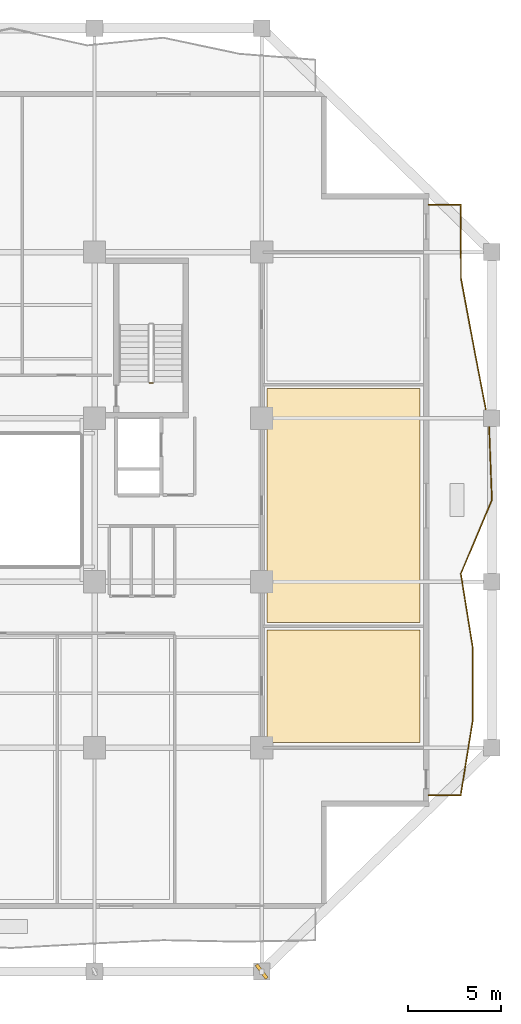
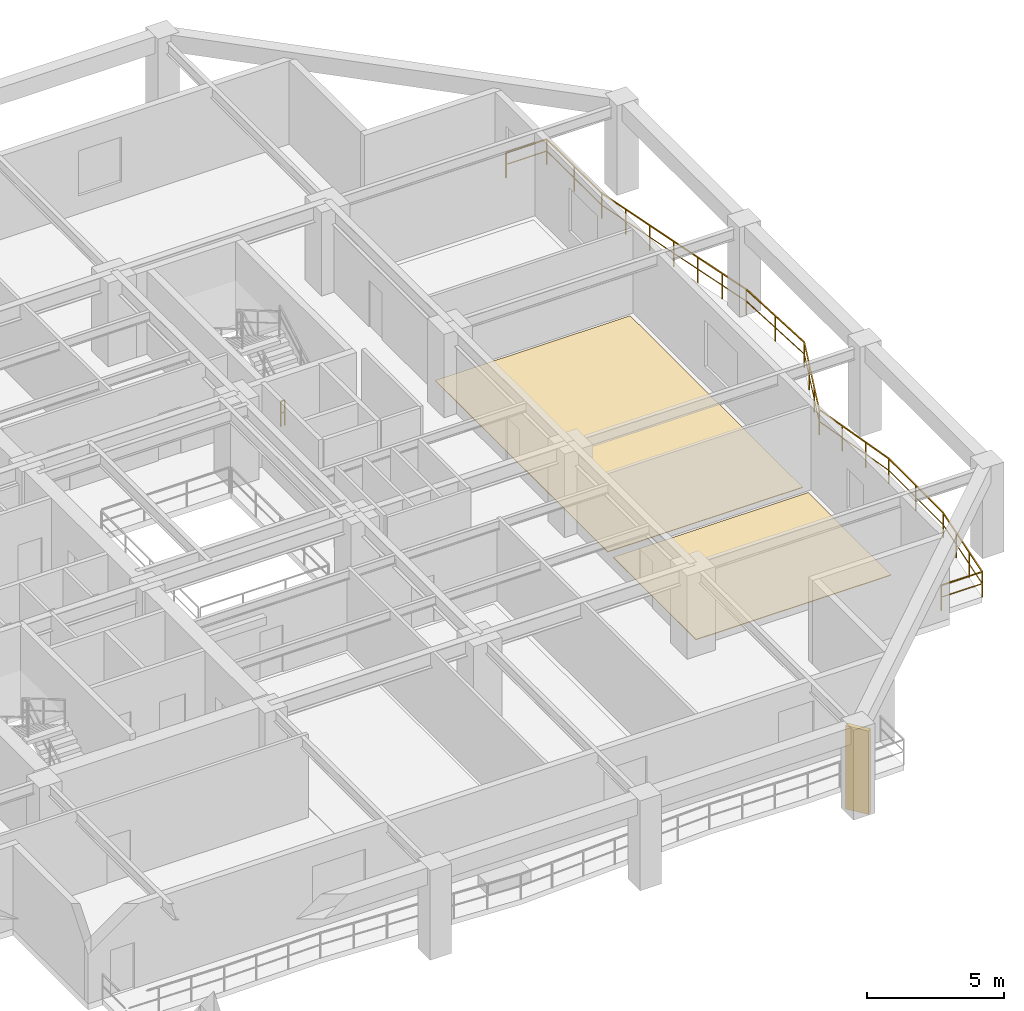
# One storey, part 9 of 12: 2 coverings, 2 railings, 1 shading device.
"""IFC4 building model written with IfcOpenShell, lengths in metres."""

from ifc_helpers import new_model, si_unit, direction, frame, origin, origin_2d, place, context, subcontext, project, spatial, polyline, rectangle, outline, extrude, material, layer, layer_set, type_object, element, save


model = new_model("IFC4")

# Units and contexts
model_context = context("Model", 3, precision=1e-05, world=origin(), true_north=direction((0.0, 1.0)))
body_context = subcontext(model_context, "Body", "Model", "MODEL_VIEW")
ifc_project = project(units=[si_unit("LENGTHUNIT", "METRE"), si_unit("AREAUNIT", "SQUARE_METRE"), si_unit("VOLUMEUNIT", "CUBIC_METRE"), si_unit("PLANEANGLEUNIT", "RADIAN"), si_unit("MASSUNIT", "GRAM", prefix="KILO")], contexts=[model_context])

# Site, building, storey
site_placement = place(None, origin())
site = spatial("IfcSite", under=ifc_project, at=site_placement, CompositionType="ELEMENT")
building_placement = place(site_placement, origin())
building = spatial("IfcBuilding", under=site, at=building_placement, Name="Kundavana Baori Tower", CompositionType="ELEMENT")
storey_placement = place(building_placement, frame((0.0, 0.0, 38.0)))
storey = spatial("IfcBuildingStorey", under=building, at=storey_placement, Name="L08", CompositionType="ELEMENT", Elevation=38.0)

# Coverings
ifc_material_1 = material(Name="Honed Kota Stone and Terrazzo Flooring", Category="masonry")
ifc_layer = layer(ifc_material_1, 0.030029296875, Name="COV-INT-FLR")
ifc_layer_set = layer_set([ifc_layer], Name="Honed Kota Stone and Terrazzo Flooring")
covering_type = type_object("IfcCoveringType", Name="COV-INT-FLR", PredefinedType="FLOORING", material=ifc_layer_set)
covering_1_placement = place(storey_placement, origin())
element("IfcCovering", 1, at=covering_1_placement, inside=storey, type_object=covering_type, Name="L08 Room Finished Stone Flooring 5", PredefinedType="FLOORING", context=body_context, shape_type="SweptSolid", body=[
    extrude(outline(polyline([(43.10009765625, 15.550048828125), (51.320068359375, 15.550048828125), (51.320068359375, 21.60009765625), (43.10009765625, 21.60009765625), (43.10009765625, 15.550048828125)])), origin(), (0.0, 0.0, 1.0), 0.030029296875),
])
covering_2_placement = place(storey_placement, origin())
element("IfcCovering", 2, at=covering_2_placement, inside=storey, type_object=covering_type, Name="L08 Room Finished Stone Flooring 6", PredefinedType="FLOORING", context=body_context, shape_type="SweptSolid", body=[
    extrude(outline(polyline([(43.10009765625, 22.0), (51.320068359375, 22.0), (51.320068359375, 34.60009765625), (43.10009765625, 34.60009765625), (43.10009765625, 22.0)])), origin(), (0.0, 0.0, 1.0), 0.030029296875),
])

# Railings
ifc_material_2 = material(Name="Architectural Patinated Bronze Metalwork")
railing_type_1 = type_object("IfcRailingType", Name="RL-BAL-1150", PredefinedType="BALUSTRADE", material=ifc_material_2)
railing_1_placement = place(storey_placement, frame((51.800048828125, 44.5, 0.0)))
element("IfcRailing", 3, at=railing_1_placement, inside=storey, type_object=railing_type_1, Name="L08 Loggia Balcony Balustrade E", PredefinedType="BALUSTRADE", context=body_context, shape_type="SweptSolid", body=[
    extrude(rectangle(XDim=0.048095703125, YDim=0.048095703125, at=origin_2d()), frame((0.0, 0.0, 1.1259765625), z_axis=(1.0, 0.0, 0.0), x_axis=(0.0, 1.0, 0.0)), (0.0, 0.0, 1.0), 1.719970703125),
    extrude(rectangle(XDim=0.03125, YDim=0.03125, at=origin_2d()), frame((0.0, 0.0, 0.597900390625), z_axis=(1.0, 0.0, 0.0), x_axis=(0.0, 1.0, 0.0)), (0.0, 0.0, 1.0), 1.719970703125),
    extrude(rectangle(XDim=0.048095703125, YDim=0.048095703125, at=origin_2d()), frame((1.719970703125, 0.0, 1.1259765625), z_axis=(0.004544849265, -0.999989672119, 0.0), x_axis=(0.999989672119, 0.004544849265, 0.0)), (0.0, 0.0, 1.0), 3.97509765625),
    extrude(rectangle(XDim=0.03125, YDim=0.03125, at=origin_2d()), frame((1.719970703125, 0.0, 0.597900390625), z_axis=(0.004544849265, -0.999989672119, 0.0), x_axis=(0.999989672119, 0.004544849265, 0.0)), (0.0, 0.0, 1.0), 3.97509765625),
    extrude(rectangle(XDim=0.048095703125, YDim=0.048095703125, at=origin_2d()), frame((1.738037109375, -3.97509765625, 1.1259765625), z_axis=(0.183956814278, -0.982934326637, 0.0), x_axis=(0.982934326637, 0.183956814278, 0.0)), (0.0, 0.0, 1.0), 4.0439453125),
    extrude(rectangle(XDim=0.03125, YDim=0.03125, at=origin_2d()), frame((1.738037109375, -3.97509765625, 0.597900390625), z_axis=(0.183956814278, -0.982934326637, 0.0), x_axis=(0.982934326637, 0.183956814278, 0.0)), (0.0, 0.0, 1.0), 4.0439453125),
    extrude(rectangle(XDim=0.048095703125, YDim=0.048095703125, at=origin_2d()), frame((2.48193359375, -7.949951171875, 1.1259765625), z_axis=(0.189710648269, -0.981840042947, 0.0), x_axis=(0.981840042947, 0.189710648269, 0.0)), (0.0, 0.0, 1.0), 4.048583984375),
    extrude(rectangle(XDim=0.03125, YDim=0.03125, at=origin_2d()), frame((2.48193359375, -7.949951171875, 0.597900390625), z_axis=(0.189710648269, -0.981840042947, 0.0), x_axis=(0.981840042947, 0.189710648269, 0.0)), (0.0, 0.0, 1.0), 4.048583984375),
    extrude(rectangle(XDim=0.048095703125, YDim=0.048095703125, at=origin_2d()), frame((3.25, -11.925048828125, 1.1259765625), z_axis=(0.037685881445, -0.999289634861, 0.0), x_axis=(0.999289634861, 0.037685881445, 0.0)), (0.0, 0.0, 1.0), 3.977783203125),
    extrude(rectangle(XDim=0.03125, YDim=0.03125, at=origin_2d()), frame((3.25, -11.925048828125, 0.597900390625), z_axis=(0.037685881445, -0.999289634861, 0.0), x_axis=(0.999289634861, 0.037685881445, 0.0)), (0.0, 0.0, 1.0), 3.977783203125),
    extrude(rectangle(XDim=0.048095703125, YDim=0.048095703125, at=origin_2d()), frame((3.39990234375, -15.89990234375, 1.1259765625), z_axis=(-0.387692508919, -0.921788760253, 0.0), x_axis=(0.921788760253, -0.387692508919, 0.0)), (0.0, 0.0, 1.0), 4.312255859375),
    extrude(rectangle(XDim=0.03125, YDim=0.03125, at=origin_2d()), frame((3.39990234375, -15.89990234375, 0.597900390625), z_axis=(-0.387692508919, -0.921788760253, 0.0), x_axis=(0.921788760253, -0.387692508919, 0.0)), (0.0, 0.0, 1.0), 4.312255859375),
    extrude(rectangle(XDim=0.048095703125, YDim=0.048095703125, at=origin_2d()), frame((1.72802734375, -19.875, 1.1259765625), z_axis=(0.159638448719, -0.987175549581, 0.0), x_axis=(0.987175549581, 0.159638448719, 0.0)), (0.0, 0.0, 1.0), 4.02685546875),
    extrude(rectangle(XDim=0.03125, YDim=0.03125, at=origin_2d()), frame((1.72802734375, -19.875, 0.597900390625), z_axis=(0.159638448719, -0.987175549581, 0.0), x_axis=(0.987175549581, 0.159638448719, 0.0)), (0.0, 0.0, 1.0), 4.02685546875),
    extrude(rectangle(XDim=0.048095703125, YDim=0.048095703125, at=origin_2d()), frame((2.370849609375, -23.85009765625, 1.1259765625), z_axis=(-0.001965477439, -0.999998068447, 0.0), x_axis=(0.999998068447, -0.001965477439, 0.0)), (0.0, 0.0, 1.0), 3.974853515625),
    extrude(rectangle(XDim=0.03125, YDim=0.03125, at=origin_2d()), frame((2.370849609375, -23.85009765625, 0.597900390625), z_axis=(-0.001965477439, -0.999998068447, 0.0), x_axis=(0.999998068447, -0.001965477439, 0.0)), (0.0, 0.0, 1.0), 3.974853515625),
    extrude(rectangle(XDim=0.048095703125, YDim=0.048095703125, at=origin_2d()), frame((2.363037109375, -27.824951171875, 1.1259765625), z_axis=(-0.159697532614, -0.987165993173, 0.0), x_axis=(0.987165993173, -0.159697532614, 0.0)), (0.0, 0.0, 1.0), 4.02685546875),
    extrude(rectangle(XDim=0.03125, YDim=0.03125, at=origin_2d()), frame((2.363037109375, -27.824951171875, 0.597900390625), z_axis=(-0.159697532614, -0.987165993173, 0.0), x_axis=(0.987165993173, -0.159697532614, 0.0)), (0.0, 0.0, 1.0), 4.02685546875),
    extrude(rectangle(XDim=0.048095703125, YDim=0.048095703125, at=origin_2d()), frame((1.719970703125, -31.800048828125, 1.1259765625), z_axis=(-1.0, 0.0, 0.0), x_axis=(0.0, -1.0, 0.0)), (0.0, 0.0, 1.0), 1.719970703125),
    extrude(rectangle(XDim=0.03125, YDim=0.03125, at=origin_2d()), frame((1.719970703125, -31.800048828125, 0.597900390625), z_axis=(-1.0, 0.0, 0.0), x_axis=(0.0, -1.0, 0.0)), (0.0, 0.0, 1.0), 1.719970703125),
    extrude(rectangle(XDim=0.0419921875, YDim=0.0419921875, at=origin_2d()), origin(), (0.0, 0.0, 1.0), 1.101806640625),
    extrude(rectangle(XDim=0.0419921875, YDim=0.0419921875, at=origin_2d()), frame((1.719970703125, 0.0, 0.0)), (0.0, 0.0, 1.0), 1.101806640625),
    extrude(rectangle(XDim=0.0419921875, YDim=0.0419921875, at=origin_2d()), frame((1.72900390625, -1.987548828125, 0.0)), (0.0, 0.0, 1.0), 1.101806640625),
    extrude(rectangle(XDim=0.0419921875, YDim=0.0419921875, at=origin_2d()), frame((1.738037109375, -3.97509765625, 0.0)), (0.0, 0.0, 1.0), 1.101806640625),
    extrude(rectangle(XDim=0.0419921875, YDim=0.0419921875, at=origin_2d()), frame((1.986083984375, -5.300048828125, 0.0)), (0.0, 0.0, 1.0), 1.101806640625),
    extrude(rectangle(XDim=0.0419921875, YDim=0.0419921875, at=origin_2d()), frame((2.23388671875, -6.625, 0.0)), (0.0, 0.0, 1.0), 1.101806640625),
    extrude(rectangle(XDim=0.0419921875, YDim=0.0419921875, at=origin_2d()), frame((2.48193359375, -7.949951171875, 0.0)), (0.0, 0.0, 1.0), 1.101806640625),
    extrude(rectangle(XDim=0.0419921875, YDim=0.0419921875, at=origin_2d()), frame((2.738037109375, -9.27490234375, 0.0)), (0.0, 0.0, 1.0), 1.101806640625),
    extrude(rectangle(XDim=0.0419921875, YDim=0.0419921875, at=origin_2d()), frame((2.993896484375, -10.60009765625, 0.0)), (0.0, 0.0, 1.0), 1.101806640625),
    extrude(rectangle(XDim=0.0419921875, YDim=0.0419921875, at=origin_2d()), frame((3.25, -11.925048828125, 0.0)), (0.0, 0.0, 1.0), 1.101806640625),
    extrude(rectangle(XDim=0.0419921875, YDim=0.0419921875, at=origin_2d()), frame((3.324951171875, -13.91259765625, 0.0)), (0.0, 0.0, 1.0), 1.101806640625),
    extrude(rectangle(XDim=0.0419921875, YDim=0.0419921875, at=origin_2d()), frame((3.39990234375, -15.89990234375, 0.0)), (0.0, 0.0, 1.0), 1.101806640625),
    extrude(rectangle(XDim=0.0419921875, YDim=0.0419921875, at=origin_2d()), frame((2.842529296875, -17.224853515625, 0.0)), (0.0, 0.0, 1.0), 1.101806640625),
    extrude(rectangle(XDim=0.0419921875, YDim=0.0419921875, at=origin_2d()), frame((2.285400390625, -18.550048828125, 0.0)), (0.0, 0.0, 1.0), 1.101806640625),
    extrude(rectangle(XDim=0.0419921875, YDim=0.0419921875, at=origin_2d()), frame((1.72802734375, -19.875, 0.0)), (0.0, 0.0, 1.0), 1.101806640625),
    extrude(rectangle(XDim=0.0419921875, YDim=0.0419921875, at=origin_2d()), frame((1.9423828125, -21.199951171875, 0.0)), (0.0, 0.0, 1.0), 1.101806640625),
    extrude(rectangle(XDim=0.0419921875, YDim=0.0419921875, at=origin_2d()), frame((2.156494140625, -22.525146484375, 0.0)), (0.0, 0.0, 1.0), 1.101806640625),
    extrude(rectangle(XDim=0.0419921875, YDim=0.0419921875, at=origin_2d()), frame((2.370849609375, -23.85009765625, 0.0)), (0.0, 0.0, 1.0), 1.101806640625),
    extrude(rectangle(XDim=0.0419921875, YDim=0.0419921875, at=origin_2d()), frame((2.366943359375, -25.83740234375, 0.0)), (0.0, 0.0, 1.0), 1.101806640625),
    extrude(rectangle(XDim=0.0419921875, YDim=0.0419921875, at=origin_2d()), frame((2.363037109375, -27.824951171875, 0.0)), (0.0, 0.0, 1.0), 1.101806640625),
    extrude(rectangle(XDim=0.0419921875, YDim=0.0419921875, at=origin_2d()), frame((2.148681640625, -29.14990234375, 0.0)), (0.0, 0.0, 1.0), 1.101806640625),
    extrude(rectangle(XDim=0.0419921875, YDim=0.0419921875, at=origin_2d()), frame((1.934326171875, -30.47509765625, 0.0)), (0.0, 0.0, 1.0), 1.101806640625),
    extrude(rectangle(XDim=0.0419921875, YDim=0.0419921875, at=origin_2d()), frame((1.719970703125, -31.800048828125, 0.0)), (0.0, 0.0, 1.0), 1.101806640625),
    extrude(rectangle(XDim=0.0419921875, YDim=0.0419921875, at=origin_2d()), frame((0.0, -31.800048828125, 0.0)), (0.0, 0.0, 1.0), 1.101806640625),
])
ifc_material_3 = material(Name="Architectural Patinated Bronze Metalwork")
railing_type_2 = type_object("IfcRailingType", Name="RL-GRD-1150", PredefinedType="GUARDRAIL", material=ifc_material_3)
railing_2_placement = place(storey_placement, frame((36.929931640625, 34.89990234375, 0.0)))
element("IfcRailing", 4, at=railing_2_placement, inside=storey, type_object=railing_type_2, Name="L08 ST3 stair guard 4", PredefinedType="GUARDRAIL", context=body_context, shape_type="SweptSolid", body=[
    extrude(rectangle(XDim=0.048095703125, YDim=0.048095703125, at=origin_2d()), frame((0.0, 0.0, 1.1259765625), z_axis=(-1.0, 0.0, 0.0), x_axis=(0.0, -1.0, 0.0)), (0.0, 0.0, 1.0), 0.159912109375),
    extrude(rectangle(XDim=0.03125, YDim=0.03125, at=origin_2d()), frame((0.0, 0.0, 0.597900390625), z_axis=(-1.0, 0.0, 0.0), x_axis=(0.0, -1.0, 0.0)), (0.0, 0.0, 1.0), 0.159912109375),
    extrude(rectangle(XDim=0.0419921875, YDim=0.0419921875, at=origin_2d()), origin(), (0.0, 0.0, 1.0), 1.101806640625),
    extrude(rectangle(XDim=0.0419921875, YDim=0.0419921875, at=origin_2d()), frame((-0.159912109375, 0.0, 0.0)), (0.0, 0.0, 1.0), 1.101806640625),
])

# Shading device
ifc_material_4 = material(Name="Red-Buff Dholpur Sandstone Cladding on Concrete C40/50", Category="masonry")
shading_device_type = type_object("IfcShadingDeviceType", Name="SHD-FIN-920", PredefinedType="JALOUSIE", material=ifc_material_4)
shading_device_placement = place(storey_placement, frame((42.800048828125, 3.199951171875, 0.0), z_axis=(0.0, 0.0, 1.0), x_axis=(0.79926529125, 0.600978364173, 0.0)))
element("IfcShadingDevice", 5, at=shading_device_placement, inside=storey, type_object=shading_device_type, Name="L08 Sweeping Dholpur Sandstone Facade Fin 4", PredefinedType="JALOUSIE", context=body_context, shape_type="SweptSolid", body=[
    extrude(rectangle(XDim=0.179931640625, YDim=0.919921875, at=origin_2d()), origin(), (0.0, 0.0, 1.0), 3.719970703125),
])

save(model, "model.ifc")
